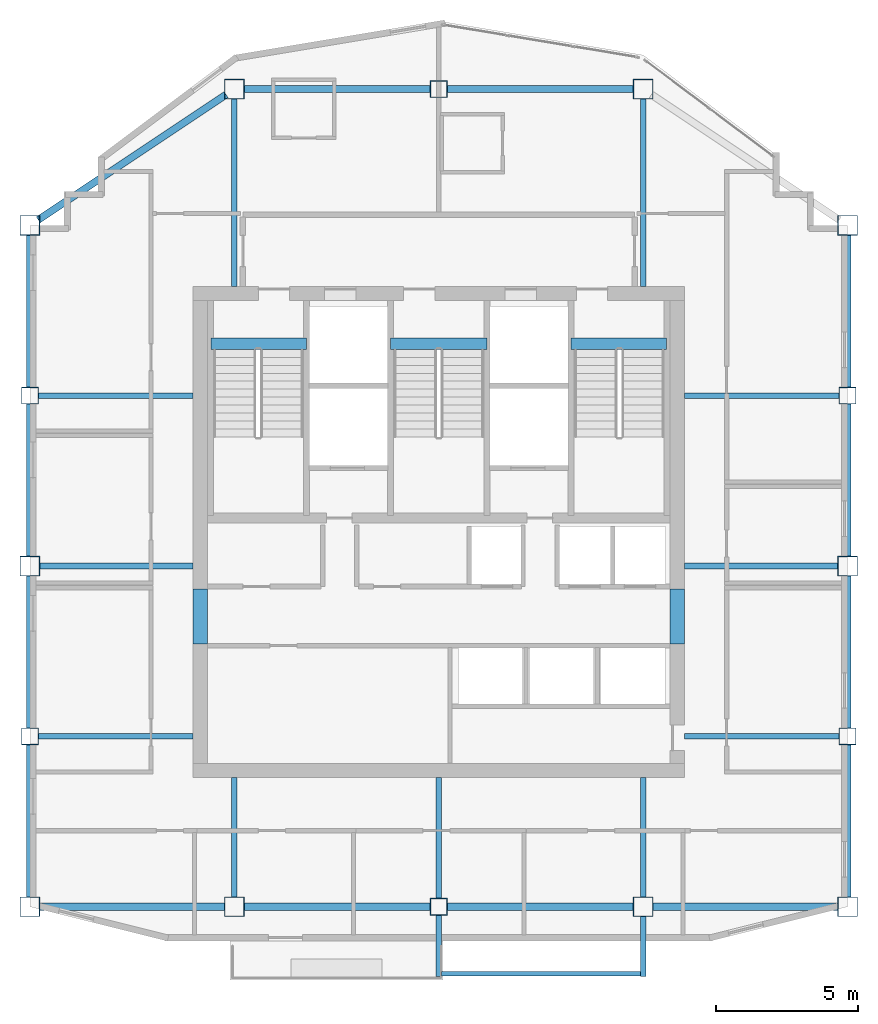
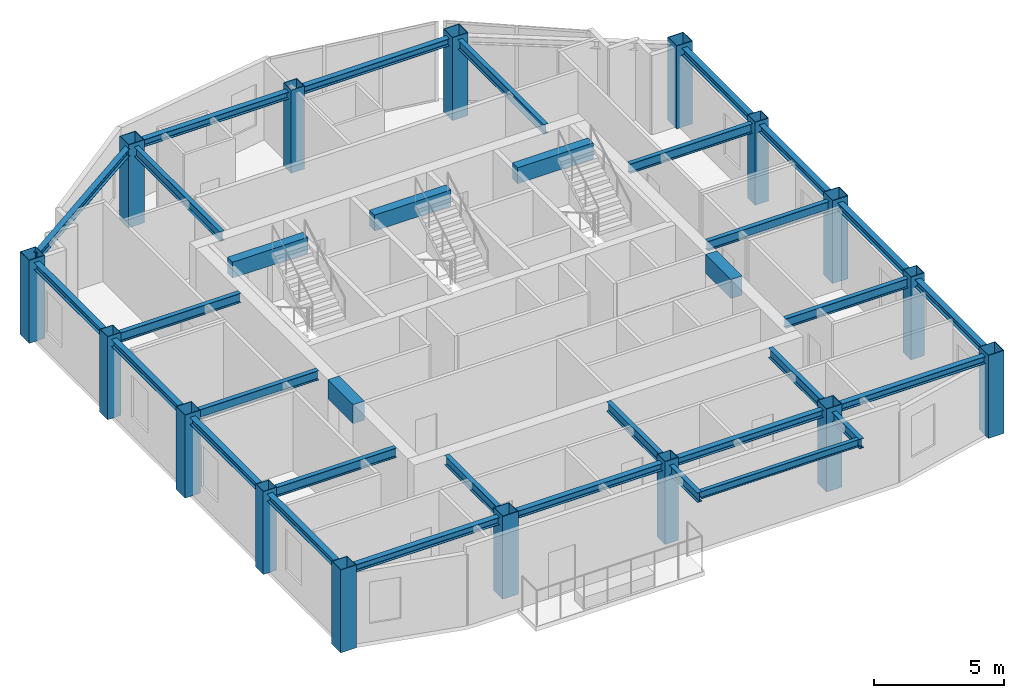
# One storey, part 1 of 8: 34 beams, 16 columns.
"""IFC4 building model written with IfcOpenShell, lengths in metres."""

from ifc_helpers import new_model, si_unit, direction, frame, origin, origin_2d, place, context, subcontext, project, spatial, rectangle, hollow_rectangle, i_section, extrude, material, material_profile, profile_set, type_object, element, save


model = new_model("IFC4")

# Units and contexts
model_context = context("Model", 3, precision=1e-05, world=origin(), true_north=direction((0.0, 1.0)))
body_context = subcontext(model_context, "Body", "Model", "MODEL_VIEW")
ifc_project = project(units=[si_unit("LENGTHUNIT", "METRE"), si_unit("AREAUNIT", "SQUARE_METRE"), si_unit("VOLUMEUNIT", "CUBIC_METRE"), si_unit("PLANEANGLEUNIT", "RADIAN"), si_unit("MASSUNIT", "GRAM", prefix="KILO")], contexts=[model_context])

# Site, building, storey
site_placement = place(None, origin())
site = spatial("IfcSite", under=ifc_project, at=site_placement, CompositionType="ELEMENT")
building_placement = place(site_placement, origin())
building = spatial("IfcBuilding", under=site, at=building_placement, Name="Haolan Belvedere Tower", CompositionType="ELEMENT")
storey_placement = place(building_placement, frame((0.0, 0.0, 301.699951171875)))
storey = spatial("IfcBuildingStorey", under=building, at=storey_placement, Name="L76", CompositionType="ELEMENT", Elevation=301.699951171875)

# Columns
ifc_material_1 = material(Name="Steel Q390GJC", Category="steel")
ifc_material_profile_1 = material_profile(ifc_material_1, hollow_rectangle(XDim=0.60009765625, YDim=0.60009765625, WallThickness=0.02392578125, at=origin_2d()), Name="Steel Q390GJC")
ifc_profile_set_1 = profile_set([ifc_material_profile_1], Name="Steel Q390GJC")
column_type_1 = type_object("IfcColumnType", Name="COL-BOX600x600x24", PredefinedType="COLUMN", material=ifc_profile_set_1)
for number, where, z_axis, x_axis, name in (
    (1, (24.0, 27.60009765625, 0.0), (0.0, 0.0, 1.0), (1.0, 0.0, 0.0), "L76 column TC-T3-W1 (BOX600x600x24)"),
    (2, (24.0, 39.60009765625, 0.0), (0.0, 0.0, 1.0), (1.0, 0.0, 0.0), "L76 column TC-T3-W2 (BOX600x600x24)"),
    (3, (52.800048828125, 27.60009765625, 0.0), (0.0, 0.0, 1.0), (1.0, 0.0, 0.0), "L76 column TC-T3-E1 (BOX600x600x24)"),
    (4, (52.800048828125, 39.60009765625, 0.0), (0.0, 0.0, 1.0), (1.0, 0.0, 0.0), "L76 column TC-T3-E2 (BOX600x600x24)"),
    (5, (38.39990234375, 21.60009765625, 0.0), (0.0, 0.0, 1.0), (1.0, 0.0, 0.0), "L76 column TC-T3-SM (BOX600x600x24)"),
    (6, (38.39990234375, 50.39990234375, 0.0), (0.0, 0.0, 1.0), (1.0, 0.0, 0.0), "L76 column TC-T3-NM (BOX600x600x24)"),
):
    element("IfcColumn", number, at=place(storey_placement, frame(where, z_axis=z_axis, x_axis=x_axis)), inside=storey, type_object=column_type_1, Name=name, PredefinedType="COLUMN", context=body_context, shape_type="SweptSolid", body=[
        extrude(hollow_rectangle(XDim=0.60009765625, YDim=0.60009765625, WallThickness=0.02392578125, at=origin_2d()), origin(), (0.0, 0.0, 1.0), 3.900146484375),
    ])
ifc_material_profile_2 = material_profile(ifc_material_1, hollow_rectangle(XDim=0.699951171875, YDim=0.699951171875, WallThickness=0.02587890625, at=origin_2d()), Name="Steel Q390GJC")
ifc_profile_set_2 = profile_set([ifc_material_profile_2], Name="Steel Q390GJC")
column_type_2 = type_object("IfcColumnType", Name="COL-BOX700x700x26", PredefinedType="COLUMN", material=ifc_profile_set_2)
for number, where, z_axis, x_axis, name in (
    (7, (24.0, 21.60009765625, 0.0), (0.0, 0.0, 1.0), (1.0, 0.0, 0.0), "L76 column MC-T3-SW (BOX700x700x26)"),
    (8, (24.0, 33.60009765625, 0.0), (0.0, 0.0, 1.0), (1.0, 0.0, 0.0), "L76 column MC-T3-MW (BOX700x700x26)"),
    (9, (24.0, 45.60009765625, 0.0), (0.0, 0.0, 1.0), (1.0, 0.0, 0.0), "L76 column MC-T3-NW (BOX700x700x26)"),
    (10, (52.800048828125, 21.60009765625, 0.0), (0.0, 0.0, 1.0), (1.0, 0.0, 0.0), "L76 column MC-T3-SE (BOX700x700x26)"),
    (11, (52.800048828125, 33.60009765625, 0.0), (0.0, 0.0, 1.0), (1.0, 0.0, 0.0), "L76 column MC-T3-ME (BOX700x700x26)"),
    (12, (52.800048828125, 45.60009765625, 0.0), (0.0, 0.0, 1.0), (1.0, 0.0, 0.0), "L76 column MC-T3-NE (BOX700x700x26)"),
    (13, (31.199951171875, 21.60009765625, 0.0), (0.0, 0.0, 1.0), (1.0, 0.0, 0.0), "L76 column MC-T3-S1 (BOX700x700x26)"),
    (14, (45.60009765625, 21.60009765625, 0.0), (0.0, 0.0, 1.0), (1.0, 0.0, 0.0), "L76 column MC-T3-S2 (BOX700x700x26)"),
    (15, (31.199951171875, 50.39990234375, 0.0), (0.0, 0.0, 1.0), (1.0, 0.0, 0.0), "L76 column MC-T3-N1 (BOX700x700x26)"),
    (16, (45.60009765625, 50.39990234375, 0.0), (0.0, 0.0, 1.0), (1.0, 0.0, 0.0), "L76 column MC-T3-N2 (BOX700x700x26)"),
):
    element("IfcColumn", number, at=place(storey_placement, frame(where, z_axis=z_axis, x_axis=x_axis)), inside=storey, type_object=column_type_2, Name=name, PredefinedType="COLUMN", context=body_context, shape_type="SweptSolid", body=[
        extrude(hollow_rectangle(XDim=0.699951171875, YDim=0.699951171875, WallThickness=0.02587890625, at=origin_2d()), origin(), (0.0, 0.0, 1.0), 3.900146484375),
    ])

# Beams
ifc_material_2 = material(Name="Steel Q355B", Category="steel")
ifc_material_profile_3 = material_profile(ifc_material_2, i_section(OverallWidth=0.25, OverallDepth=0.340087890625, WebThickness=0.009033203125, FlangeThickness=0.013916015625, FilletRadius=0.02001953125, at=origin_2d()), Name="Steel Q355B")
ifc_profile_set_3 = profile_set([ifc_material_profile_3], Name="Steel Q355B")
beam_type_1 = type_object("IfcBeamType", Name="BM-HM340x250x9x14", PredefinedType="SPANDREL", material=ifc_profile_set_3)
for number, where, z_axis, x_axis, name in (
    (17, (24.0, 21.949951171875, 3.550048828125), (0.0, 1.0, 0.0), (-1.0, 0.0, 0.0), "L76 spandrel girder MC-T3-SW-TC-T3-W1"),
    (18, (24.0, 27.89990234375, 3.550048828125), (0.0, 1.0, 0.0), (-1.0, 0.0, 0.0), "L76 spandrel girder TC-T3-W1-MC-T3-MW"),
    (19, (24.0, 33.949951171875, 3.550048828125), (0.0, 1.0, 0.0), (-1.0, 0.0, 0.0), "L76 spandrel girder MC-T3-MW-TC-T3-W2"),
    (20, (24.0, 39.89990234375, 3.550048828125), (0.0, 1.0, 0.0), (-1.0, 0.0, 0.0), "L76 spandrel girder TC-T3-W2-MC-T3-NW"),
    (21, (52.800048828125, 21.949951171875, 3.550048828125), (0.0, 1.0, 0.0), (-1.0, 0.0, 0.0), "L76 spandrel girder MC-T3-SE-TC-T3-E1"),
    (22, (52.800048828125, 27.89990234375, 3.550048828125), (0.0, 1.0, 0.0), (-1.0, 0.0, 0.0), "L76 spandrel girder TC-T3-E1-MC-T3-ME"),
    (23, (52.800048828125, 33.949951171875, 3.550048828125), (0.0, 1.0, 0.0), (-1.0, 0.0, 0.0), "L76 spandrel girder MC-T3-ME-TC-T3-E2"),
    (24, (52.800048828125, 39.89990234375, 3.550048828125), (0.0, 1.0, 0.0), (-1.0, 0.0, 0.0), "L76 spandrel girder TC-T3-E2-MC-T3-NE"),
):
    element("IfcBeam", number, at=place(storey_placement, frame(where, z_axis=z_axis, x_axis=x_axis)), inside=storey, type_object=beam_type_1, Name=name, PredefinedType="SPANDREL", context=body_context, shape_type="SweptSolid", body=[
        extrude(i_section(OverallWidth=0.25, OverallDepth=0.340087890625, WebThickness=0.009033203125, FlangeThickness=0.013916015625, FilletRadius=0.02001953125, at=origin_2d()), origin(), (0.0, 0.0, 1.0), 5.35009765625),
    ])
beam_1_placement = place(storey_placement, frame((24.35009765625, 21.60009765625, 3.550048828125), z_axis=(1.0, 0.0, 0.0), x_axis=(0.0, 1.0, 0.0)))
element("IfcBeam", 25, at=beam_1_placement, inside=storey, type_object=beam_type_1, Name="L76 spandrel girder MC-T3-SW-MC-T3-S1", PredefinedType="SPANDREL", context=body_context, shape_type="SweptSolid", body=[
    extrude(i_section(OverallWidth=0.25, OverallDepth=0.340087890625, WebThickness=0.009033203125, FlangeThickness=0.013916015625, FilletRadius=0.02001953125, at=origin_2d()), origin(), (0.0, 0.0, 1.0), 6.5),
])
for number, where, z_axis, x_axis, name in (
    (26, (31.550048828125, 21.60009765625, 3.550048828125), (1.0, 0.0, 0.0), (0.0, 1.0, 0.0), "L76 spandrel girder MC-T3-S1-TC-T3-SM"),
    (27, (38.699951171875, 21.60009765625, 3.550048828125), (1.0, 0.0, 0.0), (0.0, 1.0, 0.0), "L76 spandrel girder TC-T3-SM-MC-T3-S2"),
):
    element("IfcBeam", number, at=place(storey_placement, frame(where, z_axis=z_axis, x_axis=x_axis)), inside=storey, type_object=beam_type_1, Name=name, PredefinedType="SPANDREL", context=body_context, shape_type="SweptSolid", body=[
        extrude(i_section(OverallWidth=0.25, OverallDepth=0.340087890625, WebThickness=0.009033203125, FlangeThickness=0.013916015625, FilletRadius=0.02001953125, at=origin_2d()), origin(), (0.0, 0.0, 1.0), 6.550048828125),
    ])
beam_2_placement = place(storey_placement, frame((45.949951171875, 21.60009765625, 3.550048828125), z_axis=(1.0, 0.0, 0.0), x_axis=(0.0, 1.0, 0.0)))
element("IfcBeam", 28, at=beam_2_placement, inside=storey, type_object=beam_type_1, Name="L76 spandrel girder MC-T3-S2-MC-T3-SE", PredefinedType="SPANDREL", context=body_context, shape_type="SweptSolid", body=[
    extrude(i_section(OverallWidth=0.25, OverallDepth=0.340087890625, WebThickness=0.009033203125, FlangeThickness=0.013916015625, FilletRadius=0.02001953125, at=origin_2d()), origin(), (0.0, 0.0, 1.0), 6.5),
])
beam_3_placement = place(storey_placement, frame((24.291259765625, 45.794189453125, 3.550048828125), z_axis=(0.832050294338, 0.554700196225, 0.0), x_axis=(-0.554700196225, 0.832050294338, 0.0)))
element("IfcBeam", 29, at=beam_3_placement, inside=storey, type_object=beam_type_1, Name="L76 spandrel girder MC-T3-NW-MC-T3-N1", PredefinedType="SPANDREL", context=body_context, shape_type="SweptSolid", body=[
    extrude(i_section(OverallWidth=0.25, OverallDepth=0.340087890625, WebThickness=0.009033203125, FlangeThickness=0.013916015625, FilletRadius=0.02001953125, at=origin_2d()), origin(), (0.0, 0.0, 1.0), 7.953125),
])
for number, where, z_axis, x_axis, name in (
    (30, (31.550048828125, 50.39990234375, 3.550048828125), (1.0, 0.0, 0.0), (0.0, 1.0, 0.0), "L76 spandrel girder MC-T3-N1-TC-T3-NM"),
    (31, (38.699951171875, 50.39990234375, 3.550048828125), (1.0, 0.0, 0.0), (0.0, 1.0, 0.0), "L76 spandrel girder TC-T3-NM-MC-T3-N2"),
):
    element("IfcBeam", number, at=place(storey_placement, frame(where, z_axis=z_axis, x_axis=x_axis)), inside=storey, type_object=beam_type_1, Name=name, PredefinedType="SPANDREL", context=body_context, shape_type="SweptSolid", body=[
        extrude(i_section(OverallWidth=0.25, OverallDepth=0.340087890625, WebThickness=0.009033203125, FlangeThickness=0.013916015625, FilletRadius=0.02001953125, at=origin_2d()), origin(), (0.0, 0.0, 1.0), 6.550048828125),
    ])
ifc_material_profile_4 = material_profile(ifc_material_2, i_section(OverallWidth=0.175048828125, OverallDepth=0.35009765625, WebThickness=0.007080078125, FlangeThickness=0.010986328125, FilletRadius=0.012939453125, at=origin_2d()), Name="Steel Q355B")
ifc_profile_set_4 = profile_set([ifc_material_profile_4], Name="Steel Q355B")
beam_type_2 = type_object("IfcBeamType", Name="BM-HN350x175x7x11", PredefinedType="JOIST", material=ifc_profile_set_4)
beam_4_placement = place(storey_placement, frame((38.5, 19.239990234375, 3.4951171875), z_axis=(1.0, 0.0, 0.0), x_axis=(0.0, 1.0, 0.0)))
element("IfcBeam", 32, at=beam_4_placement, inside=storey, type_object=beam_type_2, Name="L77 tree-balcony front trimmer beam 1", PredefinedType="BEAM", context=body_context, shape_type="SweptSolid", body=[
    extrude(i_section(OverallWidth=0.175048828125, OverallDepth=0.35009765625, WebThickness=0.007080078125, FlangeThickness=0.010986328125, FilletRadius=0.012939453125, at=origin_2d()), origin(), (0.0, 0.0, 1.0), 7.0),
])
ifc_material_profile_5 = material_profile(ifc_material_2, i_section(OverallWidth=0.199951171875, OverallDepth=0.449951171875, WebThickness=0.009033203125, FlangeThickness=0.013916015625, FilletRadius=0.01611328125, at=origin_2d()), Name="Steel Q355B")
ifc_profile_set_5 = profile_set([ifc_material_profile_5], Name="Steel Q355B")
beam_type_3 = type_object("IfcBeamType", Name="BM-HN450x200x9x14", PredefinedType="BEAM", material=ifc_profile_set_5)
beam_5_placement = place(storey_placement, frame((24.35009765625, 33.60009765625, 3.4951171875), z_axis=(1.0, 0.0, 0.0), x_axis=(0.0, 1.0, 0.0)))
element("IfcBeam", 33, at=beam_5_placement, inside=storey, type_object=beam_type_3, Name="L76 core tie beam from MC-T3-MW", PredefinedType="BEAM", context=body_context, shape_type="SweptSolid", body=[
    extrude(i_section(OverallWidth=0.199951171875, OverallDepth=0.449951171875, WebThickness=0.009033203125, FlangeThickness=0.013916015625, FilletRadius=0.01611328125, at=origin_2d()), origin(), (0.0, 0.0, 1.0), 5.39990234375),
])
for number, where, z_axis, x_axis, name in (
    (34, (24.300048828125, 27.60009765625, 3.4951171875), (1.0, 0.0, 0.0), (0.0, 1.0, 0.0), "L76 core tie beam from TC-T3-W1"),
    (35, (24.300048828125, 39.60009765625, 3.4951171875), (1.0, 0.0, 0.0), (0.0, 1.0, 0.0), "L76 core tie beam from TC-T3-W2"),
):
    element("IfcBeam", number, at=place(storey_placement, frame(where, z_axis=z_axis, x_axis=x_axis)), inside=storey, type_object=beam_type_3, Name=name, PredefinedType="BEAM", context=body_context, shape_type="SweptSolid", body=[
        extrude(i_section(OverallWidth=0.199951171875, OverallDepth=0.449951171875, WebThickness=0.009033203125, FlangeThickness=0.013916015625, FilletRadius=0.01611328125, at=origin_2d()), origin(), (0.0, 0.0, 1.0), 5.449951171875),
    ])
beam_6_placement = place(storey_placement, frame((52.449951171875, 33.60009765625, 3.4951171875), z_axis=(-1.0, 0.0, 0.0), x_axis=(0.0, -1.0, 0.0)))
element("IfcBeam", 36, at=beam_6_placement, inside=storey, type_object=beam_type_3, Name="L76 core tie beam from MC-T3-ME", PredefinedType="BEAM", context=body_context, shape_type="SweptSolid", body=[
    extrude(i_section(OverallWidth=0.199951171875, OverallDepth=0.449951171875, WebThickness=0.009033203125, FlangeThickness=0.013916015625, FilletRadius=0.01611328125, at=origin_2d()), origin(), (0.0, 0.0, 1.0), 5.39990234375),
])
for number, where, z_axis, x_axis, name in (
    (37, (52.5, 27.60009765625, 3.4951171875), (-1.0, 0.0, 0.0), (0.0, -1.0, 0.0), "L76 core tie beam from TC-T3-E1"),
    (38, (52.5, 39.60009765625, 3.4951171875), (-1.0, 0.0, 0.0), (0.0, -1.0, 0.0), "L76 core tie beam from TC-T3-E2"),
):
    element("IfcBeam", number, at=place(storey_placement, frame(where, z_axis=z_axis, x_axis=x_axis)), inside=storey, type_object=beam_type_3, Name=name, PredefinedType="BEAM", context=body_context, shape_type="SweptSolid", body=[
        extrude(i_section(OverallWidth=0.199951171875, OverallDepth=0.449951171875, WebThickness=0.009033203125, FlangeThickness=0.013916015625, FilletRadius=0.01611328125, at=origin_2d()), origin(), (0.0, 0.0, 1.0), 5.449951171875),
    ])
beam_7_placement = place(storey_placement, frame((31.199951171875, 21.949951171875, 3.4951171875), z_axis=(0.0, 1.0, 0.0), x_axis=(-1.0, 0.0, 0.0)))
element("IfcBeam", 39, at=beam_7_placement, inside=storey, type_object=beam_type_3, Name="L76 core tie beam from MC-T3-S1", PredefinedType="BEAM", context=body_context, shape_type="SweptSolid", body=[
    extrude(i_section(OverallWidth=0.199951171875, OverallDepth=0.449951171875, WebThickness=0.009033203125, FlangeThickness=0.013916015625, FilletRadius=0.01611328125, at=origin_2d()), origin(), (0.0, 0.0, 1.0), 4.199951171875),
])
beam_8_placement = place(storey_placement, frame((38.39990234375, 21.89990234375, 3.4951171875), z_axis=(0.0, 1.0, 0.0), x_axis=(-1.0, 0.0, 0.0)))
element("IfcBeam", 40, at=beam_8_placement, inside=storey, type_object=beam_type_3, Name="L76 core tie beam from TC-T3-SM", PredefinedType="BEAM", context=body_context, shape_type="SweptSolid", body=[
    extrude(i_section(OverallWidth=0.199951171875, OverallDepth=0.449951171875, WebThickness=0.009033203125, FlangeThickness=0.013916015625, FilletRadius=0.01611328125, at=origin_2d()), origin(), (0.0, 0.0, 1.0), 4.25),
])
beam_9_placement = place(storey_placement, frame((45.60009765625, 21.949951171875, 3.4951171875), z_axis=(0.0, 1.0, 0.0), x_axis=(-1.0, 0.0, 0.0)))
element("IfcBeam", 41, at=beam_9_placement, inside=storey, type_object=beam_type_3, Name="L76 core tie beam from MC-T3-S2", PredefinedType="BEAM", context=body_context, shape_type="SweptSolid", body=[
    extrude(i_section(OverallWidth=0.199951171875, OverallDepth=0.449951171875, WebThickness=0.009033203125, FlangeThickness=0.013916015625, FilletRadius=0.01611328125, at=origin_2d()), origin(), (0.0, 0.0, 1.0), 4.199951171875),
])
for number, where, z_axis, x_axis, name in (
    (42, (31.199951171875, 50.050048828125, 3.4951171875), (0.0, -1.0, 0.0), (1.0, 0.0, 0.0), "L76 core tie beam from MC-T3-N1"),
    (43, (45.60009765625, 50.050048828125, 3.4951171875), (0.0, -1.0, 0.0), (1.0, 0.0, 0.0), "L76 core tie beam from MC-T3-N2"),
):
    element("IfcBeam", number, at=place(storey_placement, frame(where, z_axis=z_axis, x_axis=x_axis)), inside=storey, type_object=beam_type_3, Name=name, PredefinedType="BEAM", context=body_context, shape_type="SweptSolid", body=[
        extrude(i_section(OverallWidth=0.199951171875, OverallDepth=0.449951171875, WebThickness=0.009033203125, FlangeThickness=0.013916015625, FilletRadius=0.01611328125, at=origin_2d()), origin(), (0.0, 0.0, 1.0), 6.60009765625),
    ])
beam_10_placement = place(storey_placement, frame((38.39990234375, 21.300048828125, 3.445068359375), z_axis=(0.0, -1.0, 0.0), x_axis=(1.0, 0.0, 0.0)))
element("IfcBeam", 44, at=beam_10_placement, inside=storey, type_object=beam_type_3, Name="L77 tree-balcony column cantilever TC-T3-SM", PredefinedType="BEAM", context=body_context, shape_type="SweptSolid", body=[
    extrude(i_section(OverallWidth=0.199951171875, OverallDepth=0.449951171875, WebThickness=0.009033203125, FlangeThickness=0.013916015625, FilletRadius=0.01611328125, at=origin_2d()), origin(), (0.0, 0.0, 1.0), 2.16015625),
])
beam_11_placement = place(storey_placement, frame((45.60009765625, 21.25, 3.445068359375), z_axis=(0.0, -1.0, 0.0), x_axis=(1.0, 0.0, 0.0)))
element("IfcBeam", 45, at=beam_11_placement, inside=storey, type_object=beam_type_3, Name="L77 tree-balcony column cantilever MC-T3-S2", PredefinedType="BEAM", context=body_context, shape_type="SweptSolid", body=[
    extrude(i_section(OverallWidth=0.199951171875, OverallDepth=0.449951171875, WebThickness=0.009033203125, FlangeThickness=0.013916015625, FilletRadius=0.01611328125, at=origin_2d()), origin(), (0.0, 0.0, 1.0), 2.110107421875),
])
ifc_material_3 = material(Name="Concrete C50/60", Category="concrete")
ifc_material_profile_6 = material_profile(ifc_material_3, rectangle(XDim=0.39990234375, YDim=0.75, at=origin_2d()), Name="Concrete C50/60")
ifc_profile_set_6 = profile_set([ifc_material_profile_6], Name="Concrete C50/60")
beam_type_4 = type_object("IfcBeamType", Name="BM-RC400x750", PredefinedType="T_BEAM", material=ifc_profile_set_6)
beam_12_placement = place(storey_placement, frame((30.3798828125, 41.429931640625, 3.525146484375), z_axis=(1.0, 0.0, 0.0), x_axis=(0.0, 1.0, 0.0)))
element("IfcBeam", 46, at=beam_12_placement, inside=storey, type_object=beam_type_4, Name="L77 stair ST1 RC header trimmer beam", PredefinedType="BEAM", context=body_context, shape_type="SweptSolid", body=[
    extrude(rectangle(XDim=0.39990234375, YDim=0.75, at=origin_2d()), origin(), (0.0, 0.0, 1.0), 3.360107421875),
])
beam_13_placement = place(storey_placement, frame((36.699951171875, 41.429931640625, 3.525146484375), z_axis=(1.0, 0.0, 0.0), x_axis=(0.0, 1.0, 0.0)))
element("IfcBeam", 47, at=beam_13_placement, inside=storey, type_object=beam_type_4, Name="L77 stair ST3 RC header trimmer beam", PredefinedType="BEAM", context=body_context, shape_type="SweptSolid", body=[
    extrude(rectangle(XDim=0.39990234375, YDim=0.75, at=origin_2d()), origin(), (0.0, 0.0, 1.0), 3.400146484375),
])
beam_14_placement = place(storey_placement, frame((43.06005859375, 41.429931640625, 3.525146484375), z_axis=(1.0, 0.0, 0.0), x_axis=(0.0, 1.0, 0.0)))
element("IfcBeam", 48, at=beam_14_placement, inside=storey, type_object=beam_type_4, Name="L77 stair ST2 RC header trimmer beam", PredefinedType="BEAM", context=body_context, shape_type="SweptSolid", body=[
    extrude(rectangle(XDim=0.39990234375, YDim=0.75, at=origin_2d()), origin(), (0.0, 0.0, 1.0), 3.35986328125),
])
ifc_material_4 = material(Name="Concrete C60/75", Category="concrete")
ifc_material_profile_7 = material_profile(ifc_material_4, rectangle(XDim=0.5, YDim=0.89990234375, at=origin_2d()), Name="Concrete C60/75")
ifc_profile_set_7 = profile_set([ifc_material_profile_7], Name="Concrete C60/75")
beam_type_5 = type_object("IfcBeamType", Name="BM-RC500x900", PredefinedType="LINTEL", material=ifc_profile_set_7)
for number, where, z_axis, x_axis, name in (
    (49, (30.0, 30.85009765625, 3.27001953125), (0.0, 1.0, 0.0), (-1.0, 0.0, 0.0), "L76 west core coupling beam CB-01"),
    (50, (46.800048828125, 30.85009765625, 3.27001953125), (0.0, 1.0, 0.0), (-1.0, 0.0, 0.0), "L76 east core coupling beam CB-01"),
):
    element("IfcBeam", number, at=place(storey_placement, frame(where, z_axis=z_axis, x_axis=x_axis)), inside=storey, type_object=beam_type_5, Name=name, PredefinedType="LINTEL", context=body_context, shape_type="SweptSolid", body=[
        extrude(rectangle(XDim=0.5, YDim=0.89990234375, at=origin_2d()), origin(), (0.0, 0.0, 1.0), 1.949951171875),
    ])

save(model, "model.ifc")
